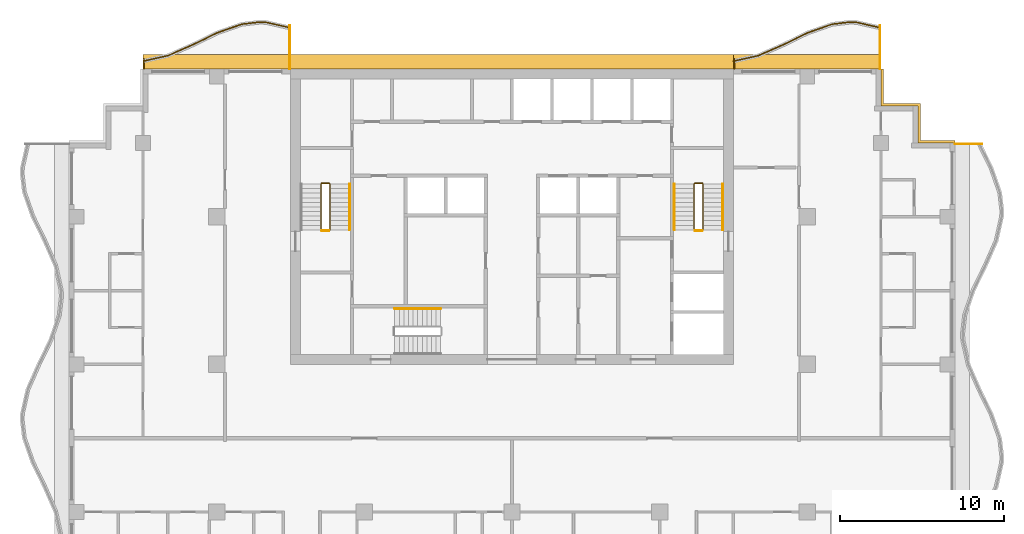
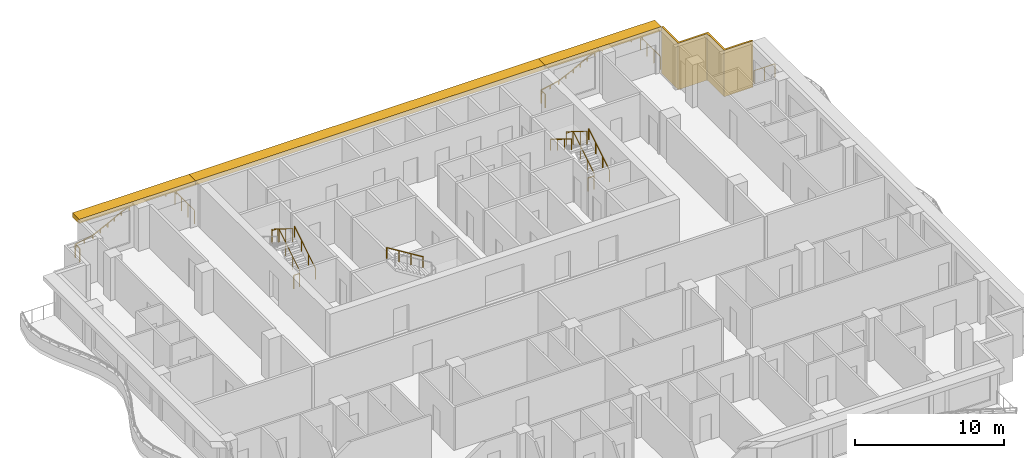
# One storey, part 11 of 11: 15 railings, 4 shading devices.
"""IFC4 building model written with IfcOpenShell, lengths in metres."""

import ifcopenshell
import ifcopenshell.guid

model = None  # the IFC model being written
_history = None  # IfcOwnerHistory: only IFC2X3 demands one
_inside = {}  # id of a spatial element -> (the spatial element, [elements in it])
_under = {}  # id of a project, library or spatial element -> (it, [spatial elements below it])
_declared = {}  # id of a project -> (the project, [libraries it declares])
_typed = {}  # id of a type object -> (the type object, [elements of that type])
_made_of = {}  # id of a material, layer set ... -> (it, [elements and type objects made of it])


def new_model(schema):
    """Start an empty IFC model of exactly this schema.

    Asked for "IFC4X3", IfcOpenShell would pick the latest addendum, in which some entities
    have other attributes; the version numbers below select the first issue.
    IFC2X3 requires an IfcOwnerHistory on every rooted entity: one is made here for all.
    """
    global model, _history
    if schema == "IFC4X3":
        model = ifcopenshell.file(schema_version=(4, 3, 0, 0))
    else:
        model = ifcopenshell.file(schema=schema)
    _inside.clear()
    _under.clear()
    _declared.clear()
    _typed.clear()
    _made_of.clear()
    _history = None
    if model.schema == "IFC2X3":
        org = make("IfcOrganization", Name="unknown")
        user = make(
            "IfcPersonAndOrganization",
            ThePerson=make("IfcPerson", FamilyName="unknown"),
            TheOrganization=org,
        )
        app = make(
            "IfcApplication",
            ApplicationDeveloper=org,
            Version="unknown",
            ApplicationFullName="unknown",
            ApplicationIdentifier="unknown",
        )
        _history = make(
            "IfcOwnerHistory",
            OwningUser=user,
            OwningApplication=app,
            ChangeAction="ADDED",
            CreationDate=0,
        )
    return model


def make(cls, **values):
    """One entity of the class cls with the attributes given. An attribute that is None is left unset."""
    return model.create_entity(
        cls, **{name: value for name, value in values.items() if value is not None}
    )


def rooted(cls, **values):
    """An entity with a GlobalId (a new one), such as an element, a storey or a relation."""
    return make(cls, GlobalId=ifcopenshell.guid.new(), OwnerHistory=_history, **values)


def si_unit(unit_type, name, prefix=None):
    """IfcSIUnit, for example si_unit("LENGTHUNIT", "METRE", prefix="MILLI")."""
    return make("IfcSIUnit", UnitType=unit_type, Prefix=prefix, Name=name)


def assignment(units):
    """IfcUnitAssignment: the units of a project."""
    return None if units is None else make("IfcUnitAssignment", Units=units)


def point(xyz):
    """IfcCartesianPoint."""
    return None if xyz is None else make("IfcCartesianPoint", Coordinates=xyz)


def direction(xyz):
    """IfcDirection."""
    return None if xyz is None else make("IfcDirection", DirectionRatios=xyz)


def frame(location, z_axis=None, x_axis=None):
    """IfcAxis2Placement3D, a coordinate frame: its origin and axes. An axis left out is left unset."""
    return make(
        "IfcAxis2Placement3D",
        Location=point(location),
        Axis=direction(z_axis),
        RefDirection=direction(x_axis),
    )


def frame_2d(location, x_axis=None):
    """IfcAxis2Placement2D, a coordinate frame in the plane: its origin and x axis."""
    return make(
        "IfcAxis2Placement2D", Location=point(location), RefDirection=direction(x_axis)
    )


def origin():
    """The frame at (0, 0, 0) with its axes left unset."""
    return frame((0.0, 0.0, 0.0))


def origin_2d():
    """The frame at (0, 0) in the plane with its x axis left unset."""
    return frame_2d((0.0, 0.0))


def place(relative_to, where):
    """IfcLocalPlacement: puts the frame where relative to a parent placement (None: the world)."""
    return make(
        "IfcLocalPlacement", PlacementRelTo=relative_to, RelativePlacement=where
    )


def context(
    kind, dimensions, precision=None, world=None, true_north=None, identifier=None
):
    """IfcGeometricRepresentationContext, for example the 3D "Model" context."""
    return make(
        "IfcGeometricRepresentationContext",
        ContextIdentifier=identifier,
        ContextType=kind,
        CoordinateSpaceDimension=dimensions,
        Precision=precision,
        WorldCoordinateSystem=world,
        TrueNorth=true_north,
    )


def subcontext(parent, identifier, kind, view, scale=None):
    """IfcGeometricRepresentationSubContext, for example "Body" below "Model"."""
    return make(
        "IfcGeometricRepresentationSubContext",
        ContextIdentifier=identifier,
        ContextType=kind,
        ParentContext=parent,
        TargetScale=scale,
        TargetView=view,
    )


def project(units=None, contexts=None):
    """IfcProject with its units and contexts."""
    return rooted(
        "IfcProject",
        Name="project",
        RepresentationContexts=contexts,
        UnitsInContext=assignment(units),
    )


def spatial(cls, under=None, at=None, **own):
    """A site, building, storey or space (cls), placed at a placement, below another one or the project."""
    s = rooted(cls, ObjectPlacement=at, **own)
    if under is not None:
        _under.setdefault(under.id(), (under, []))[1].append(s)
    return s


def polyline(points):
    """IfcPolyline through the points."""
    return make("IfcPolyline", Points=[point(p) for p in points])


def profile(cls, at=None, kind="AREA", **sizes):
    """A parametric profile (cls). Its sizes go by their IFC names, for example OverallWidth=200.0."""
    return make(cls, ProfileType=kind, Position=at, **sizes)


def rectangle(**sizes):
    """IfcRectangleProfileDef."""
    return profile("IfcRectangleProfileDef", **sizes)


def circle(**sizes):
    """IfcCircleProfileDef."""
    return profile("IfcCircleProfileDef", **sizes)


def outline(outer, holes=None, kind="AREA"):
    """IfcArbitraryClosedProfileDef: a profile drawn as a closed curve; with holes, ...WithVoids."""
    if holes is None:
        return make("IfcArbitraryClosedProfileDef", ProfileType=kind, OuterCurve=outer)
    return make(
        "IfcArbitraryProfileDefWithVoids",
        ProfileType=kind,
        OuterCurve=outer,
        InnerCurves=holes,
    )


def extrude(swept, where, along, depth):
    """IfcExtrudedAreaSolid: the profile swept, set in the frame where, extruded along a direction by depth."""
    return make(
        "IfcExtrudedAreaSolid",
        SweptArea=swept,
        Position=where,
        ExtrudedDirection=direction(along),
        Depth=depth,
    )


def shape(context_of_items, identifier, shape_type, items):
    """IfcShapeRepresentation: the items that make up one representation, for example the "Body"."""
    return make(
        "IfcShapeRepresentation",
        ContextOfItems=context_of_items,
        RepresentationIdentifier=identifier,
        RepresentationType=shape_type,
        Items=items,
    )


def material(Name=None, Category=None):
    """IfcMaterial."""
    return make("IfcMaterial", Name=Name, Category=Category)


def layer(
    of_material, thickness, ventilated=None, Name=None, Category=None, Priority=None
):
    """IfcMaterialLayer: one layer of a wall or slab, of a material (None: an air gap)."""
    return make(
        "IfcMaterialLayer",
        Material=of_material,
        LayerThickness=thickness,
        IsVentilated=ventilated,
        Name=Name,
        Category=Category,
        Priority=Priority,
    )


def layer_set(layers, Name=None):
    """IfcMaterialLayerSet."""
    return make("IfcMaterialLayerSet", MaterialLayers=layers, LayerSetName=Name)


def made_of(thing, what):
    """Note that an element or type object is made of a material, layer set ...; save() writes the relation."""
    if what is not None:
        _made_of.setdefault(what.id(), (what, []))[1].append(thing)
    return thing


def type_object(cls, material=None, **own):
    """A type object (cls), such as IfcWallType, which elements share."""
    return made_of(rooted(cls, **own), material)


def element(
    cls,
    number,
    at=None,
    inside=None,
    cuts=None,
    type_object=None,
    material=None,
    context=None,
    identifier="Body",
    shape_type=None,
    held_by="IfcProductDefinitionShape",
    body=None,
    shapes=None,
    **own,
):
    """One element of the class cls, such as IfcWall. Its Tag is "e" and its number.

    at: its placement. inside: the storey or other place that contains it. cuts: it is an
    opening in that element (IfcRelVoidsElement). A single representation is given by context,
    identifier, shape_type and body (its items); several are given by shapes. held_by: the class
    of the entity that holds the representations. save() writes the other relations.
    """
    e = rooted(cls, Tag="e%d" % number, ObjectPlacement=at, **own)
    if body is not None:
        shapes = [shape(context, identifier, shape_type, body)]
    if shapes is not None:
        e.Representation = make(held_by, Representations=shapes)
    if inside is not None:
        _inside.setdefault(inside.id(), (inside, []))[1].append(e)
    if cuts is not None:
        rooted(
            "IfcRelVoidsElement", RelatingBuildingElement=cuts, RelatedOpeningElement=e
        )
    if type_object is not None:
        _typed.setdefault(type_object.id(), (type_object, []))[1].append(e)
    return made_of(e, material)


def aggregate(whole, parts):
    """IfcRelAggregates: a whole, such as a stair, and the parts it consists of."""
    return rooted("IfcRelAggregates", RelatingObject=whole, RelatedObjects=parts)


def save(model, path):
    """Write the relations noted so far, then the file.

    IfcRelAggregates (storeys below a building ...), IfcRelContainedInSpatialStructure (elements
    in a storey), IfcRelDefinesByType, IfcRelAssociatesMaterial and IfcRelDeclares: one each for
    every whole, place, type object, material and project.
    """
    for whole, parts in _under.values():
        aggregate(whole, parts)
    for where, things in _inside.values():
        rooted(
            "IfcRelContainedInSpatialStructure",
            RelatedElements=things,
            RelatingStructure=where,
        )
    for kind, things in _typed.values():
        rooted("IfcRelDefinesByType", RelatedObjects=things, RelatingType=kind)
    for what, things in _made_of.values():
        rooted("IfcRelAssociatesMaterial", RelatedObjects=things, RelatingMaterial=what)
    for by, libraries in _declared.values():
        rooted("IfcRelDeclares", RelatingContext=by, RelatedDefinitions=libraries)
    model.write(path)


model = new_model("IFC4")

# Units and contexts
model_context = context("Model", 3, precision=1e-05, world=origin(), true_north=direction((0.0, 1.0)))
body_context = subcontext(model_context, "Body", "Model", "MODEL_VIEW")
ifc_project = project(units=[si_unit("LENGTHUNIT", "METRE"), si_unit("AREAUNIT", "SQUARE_METRE"), si_unit("VOLUMEUNIT", "CUBIC_METRE"), si_unit("PLANEANGLEUNIT", "RADIAN"), si_unit("MASSUNIT", "GRAM", prefix="KILO")], contexts=[model_context])

# Site, building, storey
site_placement = place(None, origin())
site = spatial("IfcSite", under=ifc_project, at=site_placement, CompositionType="ELEMENT")
building_placement = place(site_placement, origin())
building = spatial("IfcBuilding", under=site, at=building_placement, Name="Orbiselva Terraces", CompositionType="ELEMENT")
storey_placement = place(building_placement, frame((0.0, 0.0, 246.4)))
storey = spatial("IfcBuildingStorey", under=building, at=storey_placement, Name="L62", CompositionType="ELEMENT", Elevation=246.4)

# Railings
ifc_material_1 = material(Name="Stainless steel", Category="steel")
railing_type_1 = type_object("IfcRailingType", Name="CORE-GUARD-1100", PredefinedType="GUARDRAIL", material=ifc_material_1)
railing_1_placement = place(storey_placement, frame((-11.1, 12.7, 0.172727)))
element("IfcRailing", 1, at=railing_1_placement, inside=storey, type_object=railing_type_1, Name="L62 S1 stair guard 1", PredefinedType="GUARDRAIL", context=body_context, shape_type="SweptSolid", body=[
    extrude(circle(Radius=0.024, at=origin_2d()), frame((0.0, 0.0, 1.081), z_axis=(0.0, 0.851088519012, 0.52502222125), x_axis=(-1.0, 0.0, 0.0)), (0.0, 0.0, 1.0), 3.289905),
    extrude(circle(Radius=0.024, at=origin_2d()), frame((0.0, 2.8, 2.808273), z_axis=(-0.707106781187, 0.707106781187, 0.0), x_axis=(-0.707106781187, -0.707106781187, 0.0)), (0.0, 0.0, 1.0), 0.070711),
    extrude(circle(Radius=0.024, at=origin_2d()), frame((-0.05, 2.85, 2.808273), z_axis=(-1.0, 0.0, 0.0), x_axis=(0.0, -1.0, 0.0)), (0.0, 0.0, 1.0), 0.45),
    extrude(circle(Radius=0.024, at=origin_2d()), frame((-0.5, 2.85, 2.808273), z_axis=(-0.267894925557, -0.267894925557, 0.925453736133), x_axis=(0.707106781187, -0.707106781187, 0.0)), (0.0, 0.0, 1.0), 0.18664),
    extrude(circle(Radius=0.024, at=origin_2d()), frame((-0.55, 2.8, 2.981), z_axis=(0.0, -0.851088519012, 0.52502222125), x_axis=(1.0, 0.0, 0.0)), (0.0, 0.0, 1.0), 3.289905),
    extrude(circle(Radius=0.021, at=origin_2d()), origin(), (0.0, 0.0, 1.0), 1.057),
    extrude(circle(Radius=0.021, at=origin_2d()), frame((0.0, 0.933333, 0.575758)), (0.0, 0.0, 1.0), 1.057),
    extrude(circle(Radius=0.021, at=origin_2d()), frame((0.0, 1.866667, 1.151515)), (0.0, 0.0, 1.0), 1.057),
    extrude(circle(Radius=0.021, at=origin_2d()), frame((0.0, 2.8, 1.727273)), (0.0, 0.0, 1.0), 1.057),
    extrude(circle(Radius=0.021, at=origin_2d()), frame((-0.05, 2.85, 1.727273)), (0.0, 0.0, 1.0), 1.057),
    extrude(circle(Radius=0.021, at=origin_2d()), frame((-0.5, 2.85, 1.727273)), (0.0, 0.0, 1.0), 1.057),
    extrude(circle(Radius=0.021, at=origin_2d()), frame((-0.55, 2.8, 1.9)), (0.0, 0.0, 1.0), 1.057),
    extrude(circle(Radius=0.021, at=origin_2d()), frame((-0.55, 1.866667, 2.475758)), (0.0, 0.0, 1.0), 1.057),
    extrude(circle(Radius=0.021, at=origin_2d()), frame((-0.55, 0.933333, 3.051515)), (0.0, 0.0, 1.0), 1.057),
    extrude(circle(Radius=0.021, at=origin_2d()), frame((-0.55, 0.0, 3.627273)), (0.0, 0.0, 1.0), 1.057),
])
railing_2_placement = place(storey_placement, frame((-11.15, 12.65, 0.0)))
element("IfcRailing", 2, at=railing_2_placement, inside=storey, type_object=railing_type_1, Name="L62 S1 stair guard 2", PredefinedType="GUARDRAIL", context=body_context, shape_type="SweptSolid", body=[
    extrude(circle(Radius=0.024, at=origin_2d()), frame((0.0, 0.0, 1.081), z_axis=(-1.0, 0.0, 0.0), x_axis=(0.0, -1.0, 0.0)), (0.0, 0.0, 1.0), 0.45),
    extrude(circle(Radius=0.021, at=origin_2d()), origin(), (0.0, 0.0, 1.0), 1.057),
    extrude(circle(Radius=0.021, at=origin_2d()), frame((-0.45, 0.0, 0.0)), (0.0, 0.0, 1.0), 1.057),
])
railing_3_placement = place(storey_placement, frame((11.65, 12.7, 0.172727)))
element("IfcRailing", 3, at=railing_3_placement, inside=storey, type_object=railing_type_1, Name="L62 S2 stair guard 1", PredefinedType="GUARDRAIL", context=body_context, shape_type="SweptSolid", body=[
    extrude(circle(Radius=0.024, at=origin_2d()), frame((0.0, 0.0, 1.081), z_axis=(0.0, 0.851088519012, 0.52502222125), x_axis=(-1.0, 0.0, 0.0)), (0.0, 0.0, 1.0), 3.289905),
    extrude(circle(Radius=0.024, at=origin_2d()), frame((0.0, 2.8, 2.808273), z_axis=(-0.707106781187, 0.707106781187, 0.0), x_axis=(-0.707106781187, -0.707106781187, 0.0)), (0.0, 0.0, 1.0), 0.070711),
    extrude(circle(Radius=0.024, at=origin_2d()), frame((-0.05, 2.85, 2.808273), z_axis=(-1.0, 0.0, 0.0), x_axis=(0.0, -1.0, 0.0)), (0.0, 0.0, 1.0), 0.45),
    extrude(circle(Radius=0.024, at=origin_2d()), frame((-0.5, 2.85, 2.808273), z_axis=(-0.267894925557, -0.267894925557, 0.925453736133), x_axis=(0.707106781187, -0.707106781187, 0.0)), (0.0, 0.0, 1.0), 0.18664),
    extrude(circle(Radius=0.024, at=origin_2d()), frame((-0.55, 2.8, 2.981), z_axis=(0.0, -0.851088519012, 0.52502222125), x_axis=(1.0, 0.0, 0.0)), (0.0, 0.0, 1.0), 3.289905),
    extrude(circle(Radius=0.021, at=origin_2d()), origin(), (0.0, 0.0, 1.0), 1.057),
    extrude(circle(Radius=0.021, at=origin_2d()), frame((0.0, 0.933333, 0.575758)), (0.0, 0.0, 1.0), 1.057),
    extrude(circle(Radius=0.021, at=origin_2d()), frame((0.0, 1.866667, 1.151515)), (0.0, 0.0, 1.0), 1.057),
    extrude(circle(Radius=0.021, at=origin_2d()), frame((0.0, 2.8, 1.727273)), (0.0, 0.0, 1.0), 1.057),
    extrude(circle(Radius=0.021, at=origin_2d()), frame((-0.05, 2.85, 1.727273)), (0.0, 0.0, 1.0), 1.057),
    extrude(circle(Radius=0.021, at=origin_2d()), frame((-0.5, 2.85, 1.727273)), (0.0, 0.0, 1.0), 1.057),
    extrude(circle(Radius=0.021, at=origin_2d()), frame((-0.55, 2.8, 1.9)), (0.0, 0.0, 1.0), 1.057),
    extrude(circle(Radius=0.021, at=origin_2d()), frame((-0.55, 1.866667, 2.475758)), (0.0, 0.0, 1.0), 1.057),
    extrude(circle(Radius=0.021, at=origin_2d()), frame((-0.55, 0.933333, 3.051515)), (0.0, 0.0, 1.0), 1.057),
    extrude(circle(Radius=0.021, at=origin_2d()), frame((-0.55, 0.0, 3.627273)), (0.0, 0.0, 1.0), 1.057),
])
railing_4_placement = place(storey_placement, frame((11.6, 12.65, 0.0)))
element("IfcRailing", 4, at=railing_4_placement, inside=storey, type_object=railing_type_1, Name="L62 S2 stair guard 2", PredefinedType="GUARDRAIL", context=body_context, shape_type="SweptSolid", body=[
    extrude(circle(Radius=0.024, at=origin_2d()), frame((0.0, 0.0, 1.081), z_axis=(-1.0, 0.0, 0.0), x_axis=(0.0, -1.0, 0.0)), (0.0, 0.0, 1.0), 0.45),
    extrude(circle(Radius=0.021, at=origin_2d()), origin(), (0.0, 0.0, 1.0), 1.057),
    extrude(circle(Radius=0.021, at=origin_2d()), frame((-0.45, 0.0, 0.0)), (0.0, 0.0, 1.0), 1.057),
])
railing_type_2 = type_object("IfcRailingType", Name="CORE-HANDRAIL-900", PredefinedType="HANDRAIL", material=ifc_material_1)
for number, where, name in (
    (5, (-9.9, 12.7, 0.172727), "L62 S1 stair handrail 1"),
    (6, (12.85, 12.7, 0.172727), "L62 S2 stair handrail 1"),
):
    element("IfcRailing", number, at=place(storey_placement, frame(where)), inside=storey, type_object=railing_type_2, Name=name, PredefinedType="HANDRAIL", context=body_context, shape_type="SweptSolid", body=[
        extrude(circle(Radius=0.024, at=origin_2d()), frame((0.0, 0.0, 0.876), z_axis=(0.0, 0.851088519012, 0.52502222125), x_axis=(-1.0, 0.0, 0.0)), (0.0, 0.0, 1.0), 3.289905),
        extrude(circle(Radius=0.021, at=origin_2d()), origin(), (0.0, 0.0, 1.0), 0.852),
        extrude(circle(Radius=0.021, at=origin_2d()), frame((0.0, 0.933333, 0.575758)), (0.0, 0.0, 1.0), 0.852),
        extrude(circle(Radius=0.021, at=origin_2d()), frame((0.0, 1.866667, 1.151515)), (0.0, 0.0, 1.0), 0.852),
        extrude(circle(Radius=0.021, at=origin_2d()), frame((0.0, 2.8, 1.727273)), (0.0, 0.0, 1.0), 0.852),
    ])
railing_5_placement = place(storey_placement, frame((9.9, 15.5, 2.072727)))
element("IfcRailing", 7, at=railing_5_placement, inside=storey, type_object=railing_type_2, Name="L62 S2 stair handrail 2", PredefinedType="HANDRAIL", context=body_context, shape_type="SweptSolid", body=[
    extrude(circle(Radius=0.024, at=origin_2d()), frame((0.0, 0.0, 0.876), z_axis=(0.0, -0.851088519012, 0.52502222125), x_axis=(1.0, 0.0, 0.0)), (0.0, 0.0, 1.0), 3.289905),
    extrude(circle(Radius=0.021, at=origin_2d()), origin(), (0.0, 0.0, 1.0), 0.852),
    extrude(circle(Radius=0.021, at=origin_2d()), frame((0.0, -0.933333, 0.575758)), (0.0, 0.0, 1.0), 0.852),
    extrude(circle(Radius=0.021, at=origin_2d()), frame((0.0, -1.866667, 1.151515)), (0.0, 0.0, 1.0), 0.852),
    extrude(circle(Radius=0.021, at=origin_2d()), frame((0.0, -2.8, 1.727273)), (0.0, 0.0, 1.0), 0.852),
])
railing_6_placement = place(storey_placement, frame((-4.35, 7.9, 2.072727)))
element("IfcRailing", 8, at=railing_6_placement, inside=storey, type_object=railing_type_2, Name="L62 S3 stair handrail 2", PredefinedType="HANDRAIL", context=body_context, shape_type="SweptSolid", body=[
    extrude(circle(Radius=0.024, at=origin_2d()), frame((0.0, 0.0, 0.876), z_axis=(-0.851088519012, 0.0, 0.52502222125), x_axis=(0.0, -1.0, 0.0)), (0.0, 0.0, 1.0), 3.289905),
    extrude(circle(Radius=0.021, at=origin_2d()), origin(), (0.0, 0.0, 1.0), 0.852),
    extrude(circle(Radius=0.021, at=origin_2d()), frame((-0.933333, 0.0, 0.575758)), (0.0, 0.0, 1.0), 0.852),
    extrude(circle(Radius=0.021, at=origin_2d()), frame((-1.866667, 0.0, 1.151515)), (0.0, 0.0, 1.0), 0.852),
    extrude(circle(Radius=0.021, at=origin_2d()), frame((-2.8, 0.0, 1.727273)), (0.0, 0.0, 1.0), 0.852),
])
ifc_material_2 = material(Name="Bonded two-ply safety glass balustrade, stainless steel posts", Category="steel")
railing_type_3 = type_object("IfcRailingType", Name="ENV-BALUSTRADE-1200", PredefinedType="BALUSTRADE", material=ifc_material_2)
railing_7_placement = place(storey_placement, frame((22.472623, 25.026563, 0.9)))
element("IfcRailing", 9, at=railing_7_placement, inside=storey, type_object=railing_type_3, Name="Balcony balustrade L62 NE", PredefinedType="BALUSTRADE", context=body_context, shape_type="SweptSolid", body=[
    extrude(outline(polyline([(0.028868, 0.0), (0.014434, 0.025), (-0.014434, 0.025), (-0.028868, 0.0), (-0.014434, -0.025), (0.014434, -0.025), (0.028868, 0.0)])), frame((0.0, 0.0, 0.275), z_axis=(-0.975721322437, 0.21901575501, 0.0), x_axis=(-0.21901575501, -0.975721322437, 0.0)), (0.0, 0.0, 1.0), 1.525954),
    extrude(outline(polyline([(0.028868, 0.0), (0.014434, 0.025), (-0.014434, 0.025), (-0.028868, 0.0), (-0.014434, -0.025), (0.014434, -0.025), (0.028868, 0.0)])), frame((-1.488906, 0.334208, 0.275), z_axis=(-0.999224931454, 0.039364150694, 0.0), x_axis=(-0.039364150694, -0.999224931454, 0.0)), (0.0, 0.0, 1.0), 0.354206),
    extrude(outline(polyline([(0.028868, 0.0), (0.014434, 0.025), (-0.014434, 0.025), (-0.028868, 0.0), (-0.014434, -0.025), (0.014434, -0.025), (0.028868, 0.0)])), frame((-1.842837, 0.348151, 0.275), z_axis=(-0.993309658409, -0.115481264762, 0.0), x_axis=(0.115481264762, -0.993309658409, 0.0)), (0.0, 0.0, 1.0), 1.10902),
    extrude(outline(polyline([(0.028868, 0.0), (0.014434, 0.025), (-0.014434, 0.025), (-0.028868, 0.0), (-0.014434, -0.025), (0.014434, -0.025), (0.028868, 0.0)])), frame((-2.944437, 0.22008, 0.275), z_axis=(-0.943972277814, -0.330024754707, 0.0), x_axis=(0.330024754707, -0.943972277814, 0.0)), (0.0, 0.0, 1.0), 1.567807),
    extrude(outline(polyline([(0.028868, 0.0), (0.014434, 0.025), (-0.014434, 0.025), (-0.028868, 0.0), (-0.014434, -0.025), (0.014434, -0.025), (0.028868, 0.0)])), frame((-4.424403, -0.297335, 0.275), z_axis=(-0.89857890432, -0.438811978768, 0.0), x_axis=(0.438811978768, -0.89857890432, 0.0)), (0.0, 0.0, 1.0), 1.66438),
    extrude(outline(polyline([(0.028868, 0.0), (0.014434, 0.025), (-0.014434, 0.025), (-0.028868, 0.0), (-0.014434, -0.025), (0.014434, -0.025), (0.028868, 0.0)])), frame((-5.91998, -1.027685, 0.275), z_axis=(-0.915133527237, -0.403150874148, 0.0), x_axis=(0.403150874148, -0.915133527237, 0.0)), (0.0, 0.0, 1.0), 1.653736),
    extrude(outline(polyline([(0.028868, 0.0), (0.014434, 0.025), (-0.014434, 0.025), (-0.028868, 0.0), (-0.014434, -0.025), (0.014434, -0.025), (0.028868, 0.0)])), frame((-7.433369, -1.69439, 0.275), z_axis=(-0.975721349543, -0.219015634252, 0.0), x_axis=(0.219015634252, -0.975721349543, 0.0)), (0.0, 0.0, 1.0), 1.549497),
    extrude(rectangle(XDim=0.05, YDim=0.05, at=origin_2d()), origin(), (0.0, 0.0, 1.0), 0.25),
    extrude(rectangle(XDim=0.05, YDim=0.05, at=origin_2d()), frame((-0.744453, 0.167104, 0.0)), (0.0, 0.0, 1.0), 0.25),
    extrude(rectangle(XDim=0.05, YDim=0.05, at=origin_2d()), frame((-1.488906, 0.334208, 0.0)), (0.0, 0.0, 1.0), 0.25),
    extrude(rectangle(XDim=0.05, YDim=0.05, at=origin_2d()), frame((-1.842837, 0.348151, 0.0)), (0.0, 0.0, 1.0), 0.25),
    extrude(rectangle(XDim=0.05, YDim=0.05, at=origin_2d()), frame((-2.944437, 0.22008, 0.0)), (0.0, 0.0, 1.0), 0.25),
    extrude(rectangle(XDim=0.05, YDim=0.05, at=origin_2d()), frame((-3.68442, -0.038628, 0.0)), (0.0, 0.0, 1.0), 0.25),
    extrude(rectangle(XDim=0.05, YDim=0.05, at=origin_2d()), frame((-4.424403, -0.297335, 0.0)), (0.0, 0.0, 1.0), 0.25),
    extrude(rectangle(XDim=0.05, YDim=0.05, at=origin_2d()), frame((-5.172191, -0.66251, 0.0)), (0.0, 0.0, 1.0), 0.25),
    extrude(rectangle(XDim=0.05, YDim=0.05, at=origin_2d()), frame((-5.91998, -1.027685, 0.0)), (0.0, 0.0, 1.0), 0.25),
    extrude(rectangle(XDim=0.05, YDim=0.05, at=origin_2d()), frame((-6.676674, -1.361037, 0.0)), (0.0, 0.0, 1.0), 0.25),
    extrude(rectangle(XDim=0.05, YDim=0.05, at=origin_2d()), frame((-7.433369, -1.69439, 0.0)), (0.0, 0.0, 1.0), 0.25),
    extrude(rectangle(XDim=0.05, YDim=0.05, at=origin_2d()), frame((-8.189307, -1.864072, 0.0)), (0.0, 0.0, 1.0), 0.25),
    extrude(rectangle(XDim=0.05, YDim=0.05, at=origin_2d()), frame((-8.945246, -2.033754, 0.0)), (0.0, 0.0, 1.0), 0.25),
])
railing_8_placement = place(storey_placement, frame((-13.527377, 25.026563, 0.9)))
element("IfcRailing", 10, at=railing_8_placement, inside=storey, type_object=railing_type_3, Name="Balcony balustrade L62 NW", PredefinedType="BALUSTRADE", context=body_context, shape_type="SweptSolid", body=[
    extrude(outline(polyline([(0.028868, 0.0), (0.014434, 0.025), (-0.014434, 0.025), (-0.028868, 0.0), (-0.014434, -0.025), (0.014434, -0.025), (0.028868, 0.0)])), frame((0.0, 0.0, 0.275), z_axis=(-0.975721322437, 0.21901575501, 0.0), x_axis=(-0.21901575501, -0.975721322437, 0.0)), (0.0, 0.0, 1.0), 1.525954),
    extrude(outline(polyline([(0.028868, 0.0), (0.014434, 0.025), (-0.014434, 0.025), (-0.028868, 0.0), (-0.014434, -0.025), (0.014434, -0.025), (0.028868, 0.0)])), frame((-1.488906, 0.334208, 0.275), z_axis=(-0.999224931454, 0.039364150694, 0.0), x_axis=(-0.039364150694, -0.999224931454, 0.0)), (0.0, 0.0, 1.0), 0.354206),
    extrude(outline(polyline([(0.028868, 0.0), (0.014434, 0.025), (-0.014434, 0.025), (-0.028868, 0.0), (-0.014434, -0.025), (0.014434, -0.025), (0.028868, 0.0)])), frame((-1.842837, 0.348151, 0.275), z_axis=(-0.993309658409, -0.115481264762, 0.0), x_axis=(0.115481264762, -0.993309658409, 0.0)), (0.0, 0.0, 1.0), 1.10902),
    extrude(outline(polyline([(0.028868, 0.0), (0.014434, 0.025), (-0.014434, 0.025), (-0.028868, 0.0), (-0.014434, -0.025), (0.014434, -0.025), (0.028868, 0.0)])), frame((-2.944437, 0.22008, 0.275), z_axis=(-0.943972277814, -0.330024754707, 0.0), x_axis=(0.330024754707, -0.943972277814, 0.0)), (0.0, 0.0, 1.0), 1.567807),
    extrude(outline(polyline([(0.028868, 0.0), (0.014434, 0.025), (-0.014434, 0.025), (-0.028868, 0.0), (-0.014434, -0.025), (0.014434, -0.025), (0.028868, 0.0)])), frame((-4.424403, -0.297335, 0.275), z_axis=(-0.89857890432, -0.438811978768, 0.0), x_axis=(0.438811978768, -0.89857890432, 0.0)), (0.0, 0.0, 1.0), 1.66438),
    extrude(outline(polyline([(0.028868, 0.0), (0.014434, 0.025), (-0.014434, 0.025), (-0.028868, 0.0), (-0.014434, -0.025), (0.014434, -0.025), (0.028868, 0.0)])), frame((-5.91998, -1.027685, 0.275), z_axis=(-0.915133527237, -0.403150874148, 0.0), x_axis=(0.403150874148, -0.915133527237, 0.0)), (0.0, 0.0, 1.0), 1.653736),
    extrude(outline(polyline([(0.028868, 0.0), (0.014434, 0.025), (-0.014434, 0.025), (-0.028868, 0.0), (-0.014434, -0.025), (0.014434, -0.025), (0.028868, 0.0)])), frame((-7.433369, -1.69439, 0.275), z_axis=(-0.975721349543, -0.219015634252, 0.0), x_axis=(0.219015634252, -0.975721349543, 0.0)), (0.0, 0.0, 1.0), 1.549497),
    extrude(rectangle(XDim=0.05, YDim=0.05, at=origin_2d()), origin(), (0.0, 0.0, 1.0), 0.25),
    extrude(rectangle(XDim=0.05, YDim=0.05, at=origin_2d()), frame((-0.744453, 0.167104, 0.0)), (0.0, 0.0, 1.0), 0.25),
    extrude(rectangle(XDim=0.05, YDim=0.05, at=origin_2d()), frame((-1.488906, 0.334208, 0.0)), (0.0, 0.0, 1.0), 0.25),
    extrude(rectangle(XDim=0.05, YDim=0.05, at=origin_2d()), frame((-1.842837, 0.348151, 0.0)), (0.0, 0.0, 1.0), 0.25),
    extrude(rectangle(XDim=0.05, YDim=0.05, at=origin_2d()), frame((-2.944437, 0.22008, 0.0)), (0.0, 0.0, 1.0), 0.25),
    extrude(rectangle(XDim=0.05, YDim=0.05, at=origin_2d()), frame((-3.68442, -0.038628, 0.0)), (0.0, 0.0, 1.0), 0.25),
    extrude(rectangle(XDim=0.05, YDim=0.05, at=origin_2d()), frame((-4.424403, -0.297335, 0.0)), (0.0, 0.0, 1.0), 0.25),
    extrude(rectangle(XDim=0.05, YDim=0.05, at=origin_2d()), frame((-5.172192, -0.66251, 0.0)), (0.0, 0.0, 1.0), 0.25),
    extrude(rectangle(XDim=0.05, YDim=0.05, at=origin_2d()), frame((-5.91998, -1.027685, 0.0)), (0.0, 0.0, 1.0), 0.25),
    extrude(rectangle(XDim=0.05, YDim=0.05, at=origin_2d()), frame((-6.676675, -1.361037, 0.0)), (0.0, 0.0, 1.0), 0.25),
    extrude(rectangle(XDim=0.05, YDim=0.05, at=origin_2d()), frame((-7.433369, -1.69439, 0.0)), (0.0, 0.0, 1.0), 0.25),
    extrude(rectangle(XDim=0.05, YDim=0.05, at=origin_2d()), frame((-8.189308, -1.864072, 0.0)), (0.0, 0.0, 1.0), 0.25),
    extrude(rectangle(XDim=0.05, YDim=0.05, at=origin_2d()), frame((-8.945246, -2.033754, 0.0)), (0.0, 0.0, 1.0), 0.25),
])
ifc_material_3 = material(Name="Stainless steel rail and posts", Category="steel")
railing_type_4 = type_object("IfcRailingType", Name="ENV-GUARD-1105", PredefinedType="BALUSTRADE", material=ifc_material_3)
railing_9_placement = place(storey_placement, frame((28.642123, 17.94, 0.0)))
element("IfcRailing", 11, at=railing_9_placement, inside=storey, type_object=railing_type_4, Name="Balcony end guard L62 E", PredefinedType="BALUSTRADE", context=body_context, shape_type="SweptSolid", body=[
    extrude(outline(polyline([(0.028868, 0.0), (0.014434, 0.025), (-0.014434, 0.025), (-0.028868, 0.0), (-0.014434, -0.025), (0.014434, -0.025), (0.028868, 0.0)])), frame((0.0, 0.0, 1.08), z_axis=(-1.0, 0.0, 0.0), x_axis=(0.0, -1.0, 0.0)), (0.0, 0.0, 1.0), 1.617123),
    extrude(rectangle(XDim=0.05, YDim=0.05, at=origin_2d()), origin(), (0.0, 0.0, 1.0), 1.055),
    extrude(rectangle(XDim=0.05, YDim=0.05, at=origin_2d()), frame((-0.808562, 0.0, 0.0)), (0.0, 0.0, 1.0), 1.055),
    extrude(rectangle(XDim=0.05, YDim=0.05, at=origin_2d()), frame((-1.617123, 0.0, 0.0)), (0.0, 0.0, 1.0), 1.055),
])
railing_10_placement = place(storey_placement, frame((22.44, 25.169584, 0.0)))
element("IfcRailing", 12, at=railing_10_placement, inside=storey, type_object=railing_type_4, Name="Balcony end guard L62 NE", PredefinedType="BALUSTRADE", context=body_context, shape_type="SweptSolid", body=[
    extrude(outline(polyline([(0.028868, 0.0), (0.014434, 0.025), (-0.014434, 0.025), (-0.028868, 0.0), (-0.014434, -0.025), (0.014434, -0.025), (0.028868, 0.0)])), frame((0.0, 0.0, 1.08), z_axis=(0.0, -1.0, 0.0), x_axis=(1.0, 0.0, 0.0)), (0.0, 0.0, 1.0), 2.644584),
    extrude(rectangle(XDim=0.05, YDim=0.05, at=origin_2d()), origin(), (0.0, 0.0, 1.0), 1.055),
    extrude(rectangle(XDim=0.05, YDim=0.05, at=origin_2d()), frame((0.0, -0.881528, 0.0)), (0.0, 0.0, 1.0), 1.055),
    extrude(rectangle(XDim=0.05, YDim=0.05, at=origin_2d()), frame((0.0, -1.763056, 0.0)), (0.0, 0.0, 1.0), 1.055),
    extrude(rectangle(XDim=0.05, YDim=0.05, at=origin_2d()), frame((0.0, -2.644584, 0.0)), (0.0, 0.0, 1.0), 1.055),
])
railing_11_placement = place(storey_placement, frame((13.56, 23.119866, 0.0)))
element("IfcRailing", 13, at=railing_11_placement, inside=storey, type_object=railing_type_4, Name="Balcony end guard L62 NE", PredefinedType="BALUSTRADE", context=body_context, shape_type="SweptSolid", body=[
    extrude(outline(polyline([(0.028868, 0.0), (0.014434, 0.025), (-0.014434, 0.025), (-0.028868, 0.0), (-0.014434, -0.025), (0.014434, -0.025), (0.028868, 0.0)])), frame((0.0, 0.0, 1.08), z_axis=(0.0, -1.0, 0.0), x_axis=(1.0, 0.0, 0.0)), (0.0, 0.0, 1.0), 0.594866),
    extrude(rectangle(XDim=0.05, YDim=0.05, at=origin_2d()), origin(), (0.0, 0.0, 1.0), 1.055),
    extrude(rectangle(XDim=0.05, YDim=0.05, at=origin_2d()), frame((0.0, -0.594866, 0.0)), (0.0, 0.0, 1.0), 1.055),
])
railing_12_placement = place(storey_placement, frame((-13.56, 25.169584, 0.0)))
element("IfcRailing", 14, at=railing_12_placement, inside=storey, type_object=railing_type_4, Name="Balcony end guard L62 NW", PredefinedType="BALUSTRADE", context=body_context, shape_type="SweptSolid", body=[
    extrude(outline(polyline([(0.028868, 0.0), (0.014434, 0.025), (-0.014434, 0.025), (-0.028868, 0.0), (-0.014434, -0.025), (0.014434, -0.025), (0.028868, 0.0)])), frame((0.0, 0.0, 1.08), z_axis=(0.0, -1.0, 0.0), x_axis=(1.0, 0.0, 0.0)), (0.0, 0.0, 1.0), 2.644584),
    extrude(rectangle(XDim=0.05, YDim=0.05, at=origin_2d()), origin(), (0.0, 0.0, 1.0), 1.055),
    extrude(rectangle(XDim=0.05, YDim=0.05, at=origin_2d()), frame((0.0, -0.881528, 0.0)), (0.0, 0.0, 1.0), 1.055),
    extrude(rectangle(XDim=0.05, YDim=0.05, at=origin_2d()), frame((0.0, -1.763056, 0.0)), (0.0, 0.0, 1.0), 1.055),
    extrude(rectangle(XDim=0.05, YDim=0.05, at=origin_2d()), frame((0.0, -2.644584, 0.0)), (0.0, 0.0, 1.0), 1.055),
])
railing_13_placement = place(storey_placement, frame((-22.44, 23.119866, 0.0)))
element("IfcRailing", 15, at=railing_13_placement, inside=storey, type_object=railing_type_4, Name="Balcony end guard L62 NW", PredefinedType="BALUSTRADE", context=body_context, shape_type="SweptSolid", body=[
    extrude(outline(polyline([(0.028868, 0.0), (0.014434, 0.025), (-0.014434, 0.025), (-0.028868, 0.0), (-0.014434, -0.025), (0.014434, -0.025), (0.028868, 0.0)])), frame((0.0, 0.0, 1.08), z_axis=(0.0, -1.0, 0.0), x_axis=(1.0, 0.0, 0.0)), (0.0, 0.0, 1.0), 0.594866),
    extrude(rectangle(XDim=0.05, YDim=0.05, at=origin_2d()), origin(), (0.0, 0.0, 1.0), 1.055),
    extrude(rectangle(XDim=0.05, YDim=0.05, at=origin_2d()), frame((0.0, -0.594866, 0.0)), (0.0, 0.0, 1.0), 1.055),
])

# Shading devices
ifc_material_4 = material(Name="Terracotta louvre screen", Category="masonry")
ifc_layer_1 = layer(ifc_material_4, 0.15)
ifc_layer_set_1 = layer_set([ifc_layer_1], Name="Terracotta louvre screen")
shading_device_type_1 = type_object("IfcShadingDeviceType", Name="ENV-SCREEN-150", PredefinedType="USERDEFINED", material=ifc_layer_set_1)
shading_device_1_placement = place(storey_placement, frame((0.0, 0.0, -0.3)))
element("IfcShadingDevice", 16, at=shading_device_1_placement, inside=storey, type_object=shading_device_type_1, Name="Louvre screen L62 NE", ObjectType="SCREEN", PredefinedType="USERDEFINED", context=body_context, shape_type="SweptSolid", body=[
    extrude(outline(polyline([(27.0, 18.15), (24.9, 18.15), (24.9, 20.4), (22.65, 20.4), (22.65, 22.5), (22.5, 22.5), (22.5, 20.25), (24.75, 20.25), (24.75, 18.0), (27.0, 18.0), (27.0, 18.15)])), origin(), (0.0, 0.0, 1.0), 3.8),
])
ifc_material_5 = material(Name="Terracotta baguette sunshade", Category="masonry")
ifc_layer_2 = layer(ifc_material_5, 0.35)
ifc_layer_set_2 = layer_set([ifc_layer_2], Name="Terracotta baguette sunshade")
shading_device_type_2 = type_object("IfcShadingDeviceType", Name="ENV-SUNSHADE-900x350", PredefinedType="USERDEFINED", material=ifc_layer_set_2)
shading_device_2_placement = place(storey_placement, frame((0.0, 0.0, 3.15)))
element("IfcShadingDevice", 17, at=shading_device_2_placement, inside=storey, type_object=shading_device_type_2, Name="Sunshade band L62 NE", ObjectType="SUNSHADE", PredefinedType="USERDEFINED", context=body_context, shape_type="SweptSolid", body=[
    extrude(outline(polyline([(22.5, 23.4), (13.5, 23.4), (13.5, 22.5), (22.5, 22.5), (22.5, 23.4)])), origin(), (0.0, 0.0, 1.0), 0.35),
])
shading_device_3_placement = place(storey_placement, frame((0.0, 0.0, 3.15)))
element("IfcShadingDevice", 18, at=shading_device_3_placement, inside=storey, type_object=shading_device_type_2, Name="Sunshade band L62 CORE NORTH", ObjectType="SUNSHADE", PredefinedType="USERDEFINED", context=body_context, shape_type="SweptSolid", body=[
    extrude(outline(polyline([(13.5, 23.4), (-13.5, 23.4), (-13.5, 22.5), (13.5, 22.5), (13.5, 23.4)])), origin(), (0.0, 0.0, 1.0), 0.35),
])
shading_device_4_placement = place(storey_placement, frame((0.0, 0.0, 3.15)))
element("IfcShadingDevice", 19, at=shading_device_4_placement, inside=storey, type_object=shading_device_type_2, Name="Sunshade band L62 NW", ObjectType="SUNSHADE", PredefinedType="USERDEFINED", context=body_context, shape_type="SweptSolid", body=[
    extrude(outline(polyline([(-13.5, 23.4), (-22.5, 23.4), (-22.5, 22.5), (-13.5, 22.5), (-13.5, 23.4)])), origin(), (0.0, 0.0, 1.0), 0.35),
])

save(model, "model.ifc")
